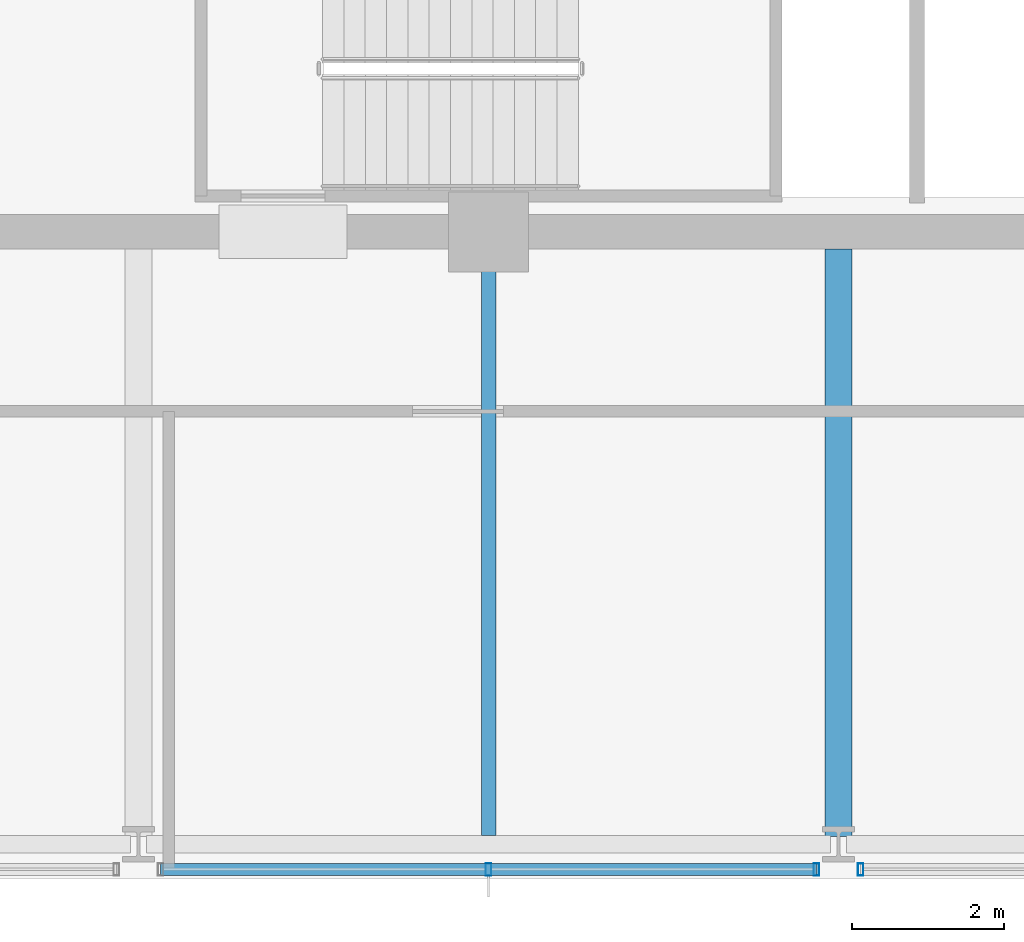
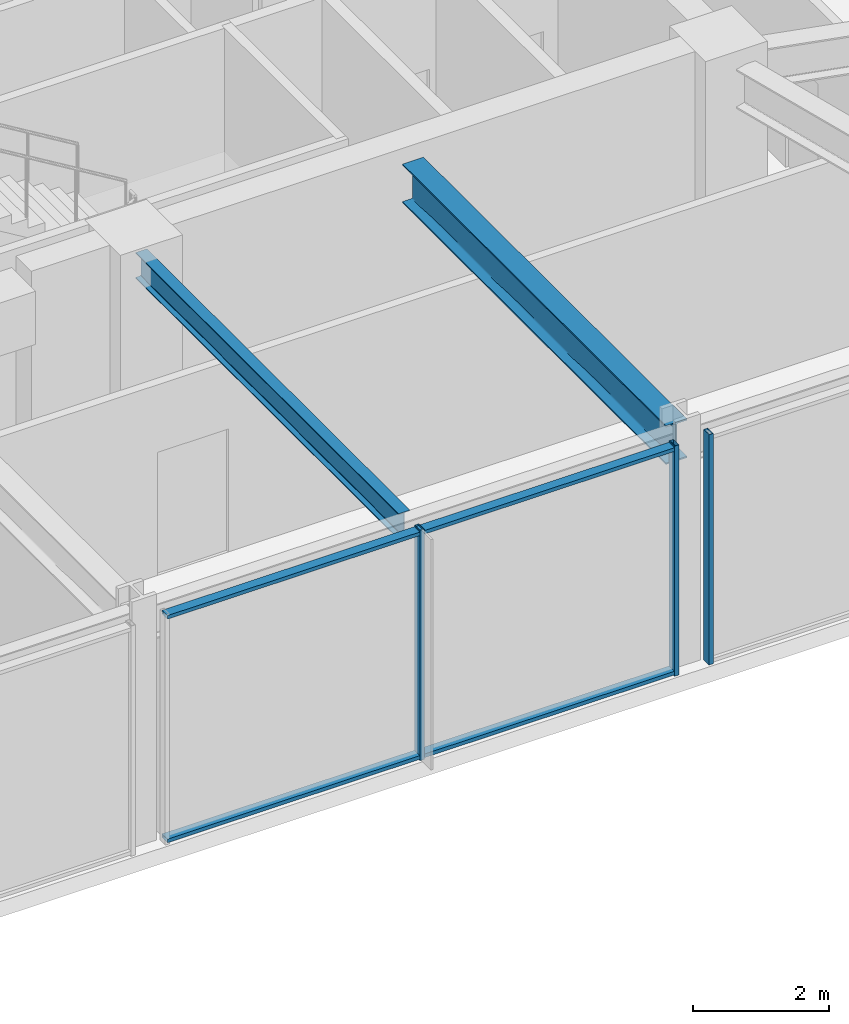
# One storey, part 6 of 26: 5 members, 2 beams, 2 elements without a shape of their own.
"""IFC4 building model written with IfcOpenShell, lengths in metres."""

from ifc_helpers import new_model, si_unit, direction, frame, origin, origin_2d, place, context, subcontext, project, spatial, hollow_rectangle, i_section, extrude, material, material_profile, profile_set, type_object, element, aggregate, save


model = new_model("IFC4")

# Units and contexts
model_context = context("Model", 3, precision=1e-05, world=origin(), true_north=direction((0.0, 1.0)))
body_context = subcontext(model_context, "Body", "Model", "MODEL_VIEW")
ifc_project = project(units=[si_unit("LENGTHUNIT", "METRE"), si_unit("AREAUNIT", "SQUARE_METRE"), si_unit("VOLUMEUNIT", "CUBIC_METRE"), si_unit("PLANEANGLEUNIT", "RADIAN"), si_unit("MASSUNIT", "GRAM", prefix="KILO")], contexts=[model_context])

# Site, building, storey
site_placement = place(None, origin())
site = spatial("IfcSite", under=ifc_project, at=site_placement, CompositionType="ELEMENT")
building_placement = place(site_placement, origin())
building = spatial("IfcBuilding", under=site, at=building_placement, Name="Kolvaren Belvedere", CompositionType="ELEMENT")
storey_placement = place(building_placement, frame((0.0, 0.0, 258.39990234375)))
storey = spatial("IfcBuildingStorey", under=building, at=storey_placement, Name="L75", CompositionType="ELEMENT", Elevation=258.39990234375)

# Beams
ifc_material_1 = material(Name="Structural steel ASTM A992 Grade 50", Category="steel")
ifc_material_profile_1 = material_profile(ifc_material_1, i_section(OverallWidth=0.35498046875, OverallDepth=0.696044921875, WebThickness=0.015380859375, FlangeThickness=0.02490234375, FilletRadius=0.02197265625, at=origin_2d()), Name="W27X146")
ifc_profile_set_1 = profile_set([ifc_material_profile_1], Name="Structural steel ASTM A992 Grade 50")
beam_type_1 = type_object("IfcBeamType", Name="BM-GIRD-W27X146", PredefinedType="BEAM", material=ifc_profile_set_1)
beam_1_placement = place(storey_placement, frame((4.60009765625, -10.125, 3.772216796875), z_axis=(0.0, -1.0, 0.0), x_axis=(1.0, 0.0, 0.0)))
element("IfcBeam", 1, at=beam_1_placement, inside=storey, type_object=beam_type_1, Name="L75 South Radial Girder P", PredefinedType="BEAM", context=body_context, shape_type="SweptSolid", body=[
    extrude(i_section(OverallWidth=0.35498046875, OverallDepth=0.696044921875, WebThickness=0.015380859375, FlangeThickness=0.02490234375, FilletRadius=0.02197265625, at=origin_2d()), origin(), (0.0, 0.0, 1.0), 7.720458984375),
])
ifc_material_2 = material(Name="Structural steel ASTM A992 Grade 50", Category="steel")
ifc_material_profile_2 = material_profile(ifc_material_2, i_section(OverallWidth=0.19091796875, OverallDepth=0.4599609375, WebThickness=0.010009765625, FlangeThickness=0.01611328125, FilletRadius=0.014892578125, at=origin_2d()), Name="W18X55")
ifc_profile_set_2 = profile_set([ifc_material_profile_2], Name="Structural steel ASTM A992 Grade 50")
beam_type_2 = type_object("IfcBeamType", Name="BM-JOIST-W18X55", PredefinedType="BEAM", material=ifc_profile_set_2)
beam_2_placement = place(storey_placement, frame((0.0, -10.125, 3.89013671875), z_axis=(0.0, -1.0, 0.0), x_axis=(1.0, 0.0, 0.0)))
element("IfcBeam", 2, at=beam_2_placement, inside=storey, type_object=beam_type_2, Name="L75 South Centre Floor Beam", PredefinedType="BEAM", context=body_context, shape_type="SweptSolid", body=[
    extrude(i_section(OverallWidth=0.19091796875, OverallDepth=0.4599609375, WebThickness=0.010009765625, FlangeThickness=0.01611328125, FilletRadius=0.014892578125, at=origin_2d()), origin(), (0.0, 0.0, 1.0), 7.71044921875),
])

# Curtain wall, member
ifc_material_3 = material(Name="Anodised pale-metal aluminium AA 6063-T6", Category="aluminium")
curtain_wall_type = type_object("IfcCurtainWallType", Name="CW-CRN-OBS", PredefinedType="NOTDEFINED", material=ifc_material_3)
curtain_wall_1_placement = place(storey_placement, origin())
curtain_wall_1 = element("IfcCurtainWall", 3, at=curtain_wall_1_placement, inside=storey, type_object=curtain_wall_type, Name="L75 Unitised Curtain Wall FCW-L75-S-B1", PredefinedType="NOTDEFINED")
ifc_material_4 = material(Name="Anodised pale-metal aluminium AA 6063-T6", Category="aluminium")
ifc_material_profile_3 = material_profile(ifc_material_4, hollow_rectangle(XDim=0.074951171875, YDim=0.159912109375, WallThickness=0.00439453125, at=origin_2d()), Name="ALU-MUL-160X75")
ifc_profile_set_3 = profile_set([ifc_material_profile_3], Name="Anodised pale-metal aluminium AA 6063-T6")
member_type_1 = type_object("IfcMemberType", Name="CW-MUL-160", PredefinedType="MULLION", material=ifc_profile_set_3)
member_1_placement = place(storey_placement, frame((4.889892578125, -18.280029296875, 0.0), z_axis=(0.0, 0.0, 1.0), x_axis=(1.0, 0.0, 0.0)))
member_1 = element("IfcMember", 4, at=member_1_placement, type_object=member_type_1, Name="FCW-L75-S-B1 Unitised Mullion 3", PredefinedType="MULLION", context=body_context, shape_type="SweptSolid", body=[
    extrude(hollow_rectangle(XDim=0.074951171875, YDim=0.159912109375, WallThickness=0.00439453125, at=origin_2d()), origin(), (0.0, 0.0, 1.0), 4.1201171875),
])
aggregate(curtain_wall_1, [member_1])

# Curtain wall, members
curtain_wall_2_placement = place(storey_placement, origin())
curtain_wall_2 = element("IfcCurtainWall", 5, at=curtain_wall_2_placement, inside=storey, type_object=curtain_wall_type, Name="L75 Unitised Curtain Wall FCW-L75-S-B2", PredefinedType="NOTDEFINED")
member_2_placement = place(storey_placement, frame((4.31005859375, -18.280029296875, 0.0), z_axis=(0.0, 0.0, 1.0), x_axis=(1.0, 0.0, 0.0)))
member_2 = element("IfcMember", 6, at=member_2_placement, type_object=member_type_1, Name="FCW-L75-S-B2 Unitised Mullion 1", PredefinedType="MULLION", context=body_context, shape_type="SweptSolid", body=[
    extrude(hollow_rectangle(XDim=0.074951171875, YDim=0.159912109375, WallThickness=0.00439453125, at=origin_2d()), origin(), (0.0, 0.0, 1.0), 4.1201171875),
])
member_3_placement = place(storey_placement, frame((0.0, -18.280029296875, 0.0), z_axis=(0.0, 0.0, 1.0), x_axis=(1.0, 0.0, 0.0)))
member_3 = element("IfcMember", 7, at=member_3_placement, type_object=member_type_1, Name="FCW-L75-S-B2 Unitised Mullion 2", PredefinedType="MULLION", context=body_context, shape_type="SweptSolid", body=[
    extrude(hollow_rectangle(XDim=0.074951171875, YDim=0.159912109375, WallThickness=0.00439453125, at=origin_2d()), origin(), (0.0, 0.0, 1.0), 4.1201171875),
])
ifc_material_5 = material(Name="Anodised pale-metal aluminium AA 6063-T6", Category="aluminium")
ifc_material_profile_4 = material_profile(ifc_material_5, hollow_rectangle(XDim=0.06494140625, YDim=0.159912109375, WallThickness=0.00390625, at=origin_2d()), Name="ALU-TRN-160X65")
ifc_profile_set_4 = profile_set([ifc_material_profile_4], Name="Anodised pale-metal aluminium AA 6063-T6")
member_type_2 = type_object("IfcMemberType", Name="CW-TRN-160", PredefinedType="USERDEFINED", material=ifc_profile_set_4)
member_4_placement = place(storey_placement, frame((4.31005859375, -18.280029296875, 0.06005859375), z_axis=(-1.0, 0.0, 0.0), x_axis=(0.0, 0.0, 1.0)))
member_4 = element("IfcMember", 8, at=member_4_placement, type_object=member_type_2, Name="FCW-L75-S-B2 Sill Transom", ObjectType="TRANSOM", PredefinedType="USERDEFINED", context=body_context, shape_type="SweptSolid", body=[
    extrude(hollow_rectangle(XDim=0.06494140625, YDim=0.159912109375, WallThickness=0.00390625, at=origin_2d()), origin(), (0.0, 0.0, 1.0), 8.6201171875),
])
member_5_placement = place(storey_placement, frame((4.31005859375, -18.280029296875, 4.06005859375), z_axis=(-1.0, 0.0, 0.0), x_axis=(0.0, 0.0, 1.0)))
member_5 = element("IfcMember", 9, at=member_5_placement, type_object=member_type_2, Name="FCW-L75-S-B2 Head Transom", ObjectType="TRANSOM", PredefinedType="USERDEFINED", context=body_context, shape_type="SweptSolid", body=[
    extrude(hollow_rectangle(XDim=0.06494140625, YDim=0.159912109375, WallThickness=0.00390625, at=origin_2d()), origin(), (0.0, 0.0, 1.0), 8.6201171875),
])
aggregate(curtain_wall_2, [member_2, member_3, member_4, member_5])

save(model, "model.ifc")
